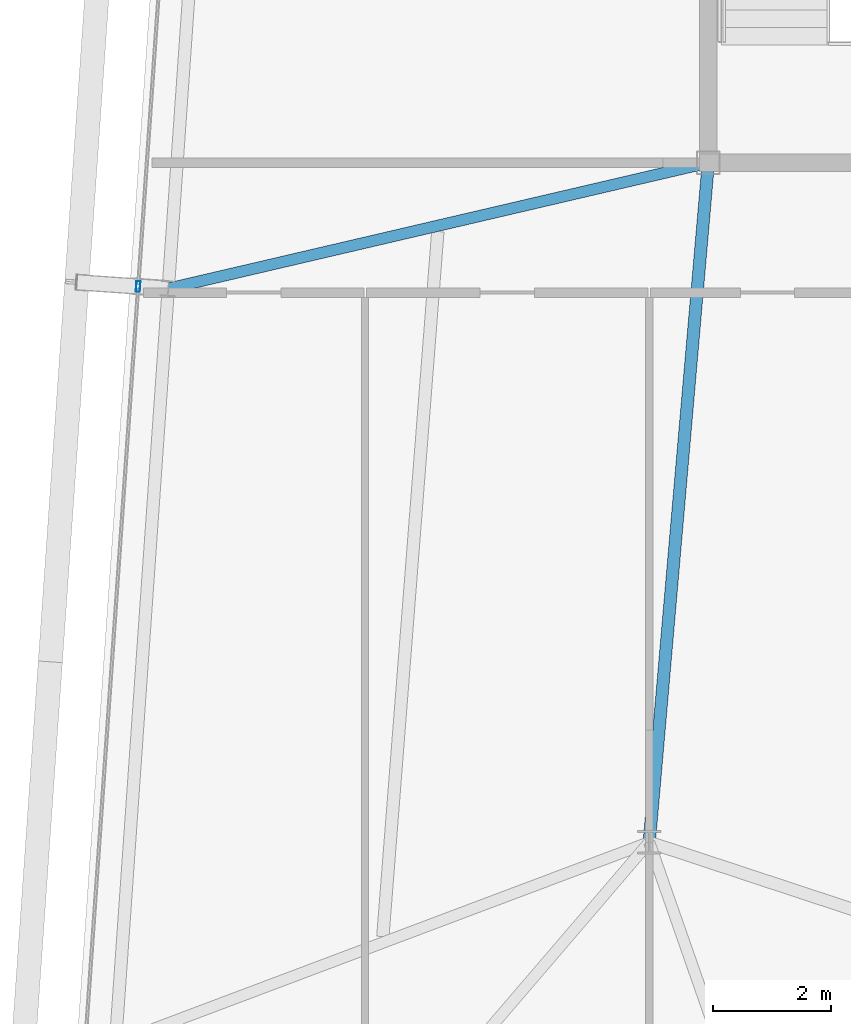
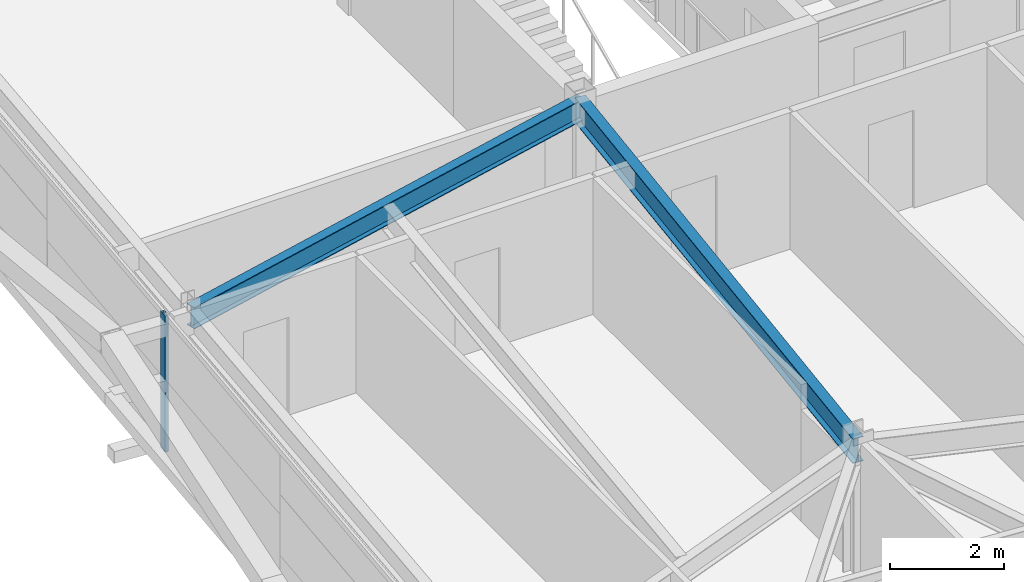
# One storey, part 11 of 39: 2 beams, 1 member, 1 element without a shape of its own.
"""IFC4 building model written with IfcOpenShell, lengths in metres."""

from ifc_helpers import new_model, si_unit, direction, frame, origin, origin_2d, place, context, subcontext, project, spatial, hollow_rectangle, i_section, extrude, source, transform, mapped, material, layer, layer_set, material_profile, profile_set, type_object, element, aggregate, save


model = new_model("IFC4")

# Units and contexts
model_context = context("Model", 3, precision=1e-05, world=origin(), true_north=direction((0.0, 1.0)))
body_context = subcontext(model_context, "Body", "Model", "MODEL_VIEW")
ifc_project = project(units=[si_unit("LENGTHUNIT", "METRE"), si_unit("AREAUNIT", "SQUARE_METRE"), si_unit("VOLUMEUNIT", "CUBIC_METRE"), si_unit("PLANEANGLEUNIT", "RADIAN"), si_unit("MASSUNIT", "GRAM", prefix="KILO")], contexts=[model_context])

# Site, building, storey
site_placement = place(None, origin())
site = spatial("IfcSite", under=ifc_project, at=site_placement, CompositionType="ELEMENT")
building_placement = place(site_placement, origin())
building = spatial("IfcBuilding", under=site, at=building_placement, Name="Taldren Reach Tower", CompositionType="ELEMENT")
storey_placement = place(building_placement, frame((0.0, 0.0, 158.199951171875)))
storey = spatial("IfcBuildingStorey", under=building, at=storey_placement, Name="L48", CompositionType="ELEMENT", Elevation=158.199951171875)

# Beams
ifc_material_1 = material(Name="Steel Gr 350 (350PLUS)", Category="steel")
ifc_material_profile_1 = material_profile(ifc_material_1, i_section(OverallWidth=0.208984375, OverallDepth=0.532958984375, WebThickness=0.01025390625, FlangeThickness=0.015625, at=origin_2d()), Name="530UB92.4")
ifc_profile_set_1 = profile_set([ifc_material_profile_1], Name="Steel Gr 350 (350PLUS)")
beam_type_1 = type_object("IfcBeamType", Name="BM-UB530A", PredefinedType="BEAM", material=ifc_profile_set_1)
shared_shape_1 = source(origin(), body_context, "Body", "SweptSolid", [
    extrude(i_section(OverallWidth=0.208984375, OverallDepth=0.532958984375, WebThickness=0.01025390625, FlangeThickness=0.015625, at=origin_2d()), origin(), (0.0, 0.0, 1.0), 11.54345703125),
])
beam_1_placement = place(storey_placement, frame((19.0, 24.0, 2.66357421875), z_axis=(-0.086629616365, -0.996240588196, 0.0), x_axis=(0.996240588196, -0.086629616365, 0.0)))
element("IfcBeam", 1, at=beam_1_placement, inside=storey, type_object=beam_type_1, Name="Core-spine girder L48-SP09", PredefinedType="BEAM", context=body_context, shape_type="MappedRepresentation", body=[
    mapped(shared_shape_1, transform((0.0, 0.0, 0.0), scale=1.0)),
])
ifc_material_profile_2 = material_profile(ifc_material_1, i_section(OverallWidth=0.19091796875, OverallDepth=0.4599609375, WebThickness=0.010009765625, FlangeThickness=0.01611328125, at=origin_2d()), Name="460UB82.1")
ifc_profile_set_2 = profile_set([ifc_material_profile_2], Name="Steel Gr 350 (350PLUS)")
beam_type_2 = type_object("IfcBeamType", Name="BM-UB460A", PredefinedType="BEAM", material=ifc_profile_set_2)
shared_shape_2 = source(origin(), body_context, "Body", "SweptSolid", [
    extrude(i_section(OverallWidth=0.19091796875, OverallDepth=0.4599609375, WebThickness=0.010009765625, FlangeThickness=0.01611328125, at=origin_2d()), origin(), (0.0, 0.0, 1.0), 9.383544921875),
])
beam_2_placement = place(storey_placement, frame((19.0, 24.0, 2.699951171875), z_axis=(-0.973856560651, -0.227163815951, 0.0), x_axis=(0.227163815951, -0.973856560651, 0.0)))
element("IfcBeam", 2, at=beam_2_placement, inside=storey, type_object=beam_type_2, Name="Primary floor girder B3-W2 L48", PredefinedType="BEAM", context=body_context, shape_type="MappedRepresentation", body=[
    mapped(shared_shape_2, transform((0.0, 0.0, 0.0), scale=1.0)),
])

# Curtain wall, member
ifc_material_2 = material(Name="Aluminium and Low-E Glass Unitised System", Category="aluminium")
ifc_layer = layer(ifc_material_2, 0.159912109375)
ifc_layer_set = layer_set([ifc_layer], Name="Aluminium and Low-E Glass Unitised System")
curtain_wall_type = type_object("IfcCurtainWallType", Name="CW-SYS-4", PredefinedType="NOTDEFINED", material=ifc_layer_set)
curtain_wall_placement = place(storey_placement, origin())
curtain_wall = element("IfcCurtainWall", 3, at=curtain_wall_placement, inside=storey, type_object=curtain_wall_type, Name="Unitised curtain wall CW-L48-W", PredefinedType="NOTDEFINED")
ifc_material_3 = material(Name="Anodised Aluminium 6063-T6", Category="aluminium")
ifc_material_profile_3 = material_profile(ifc_material_3, hollow_rectangle(XDim=0.070068359375, YDim=0.179931640625, WallThickness=0.00390625, at=origin_2d()), Name="ALU-180x70x4RHS")
ifc_profile_set_3 = profile_set([ifc_material_profile_3], Name="Anodised Aluminium 6063-T6")
member_type = type_object("IfcMemberType", Name="CW-MUL-180", PredefinedType="MULLION", material=ifc_profile_set_3)
shared_shape_3 = source(origin(), body_context, "Body", "SweptSolid", [
    extrude(hollow_rectangle(XDim=0.070068359375, YDim=0.179931640625, WallThickness=0.00390625, at=origin_2d()), origin(), (0.0, 0.0, 1.0), 2.929931640625),
])
member_placement = place(storey_placement, frame((9.35302734375, 21.90380859375, 0.0), z_axis=(0.0, 0.0, 1.0), x_axis=(0.997564052812, -0.069756437251, 0.0)))
member = element("IfcMember", 4, at=member_placement, type_object=member_type, Name="CW-4 mullion 2", PredefinedType="MULLION", context=body_context, shape_type="MappedRepresentation", body=[
    mapped(shared_shape_3, transform((0.0, 0.0, 0.0), scale=1.0)),
])
aggregate(curtain_wall, [member])

save(model, "model.ifc")
